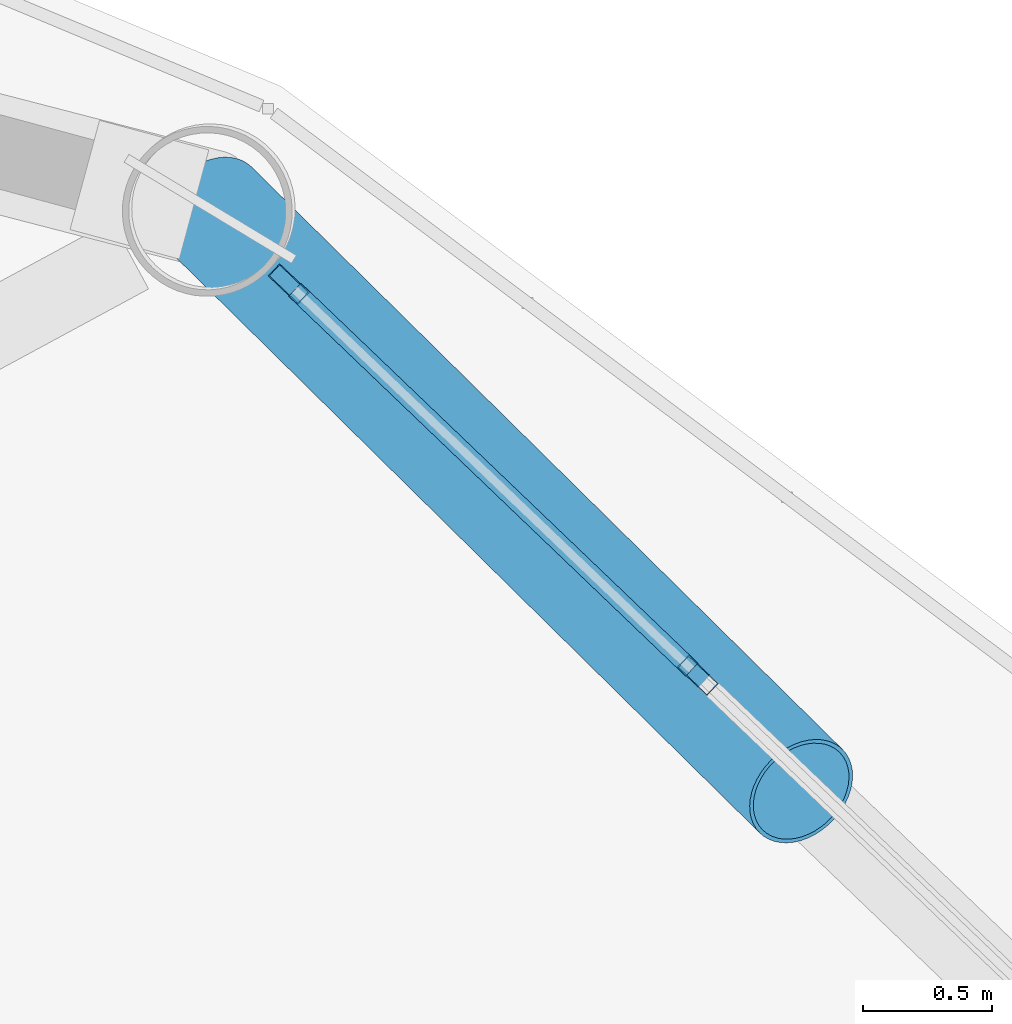
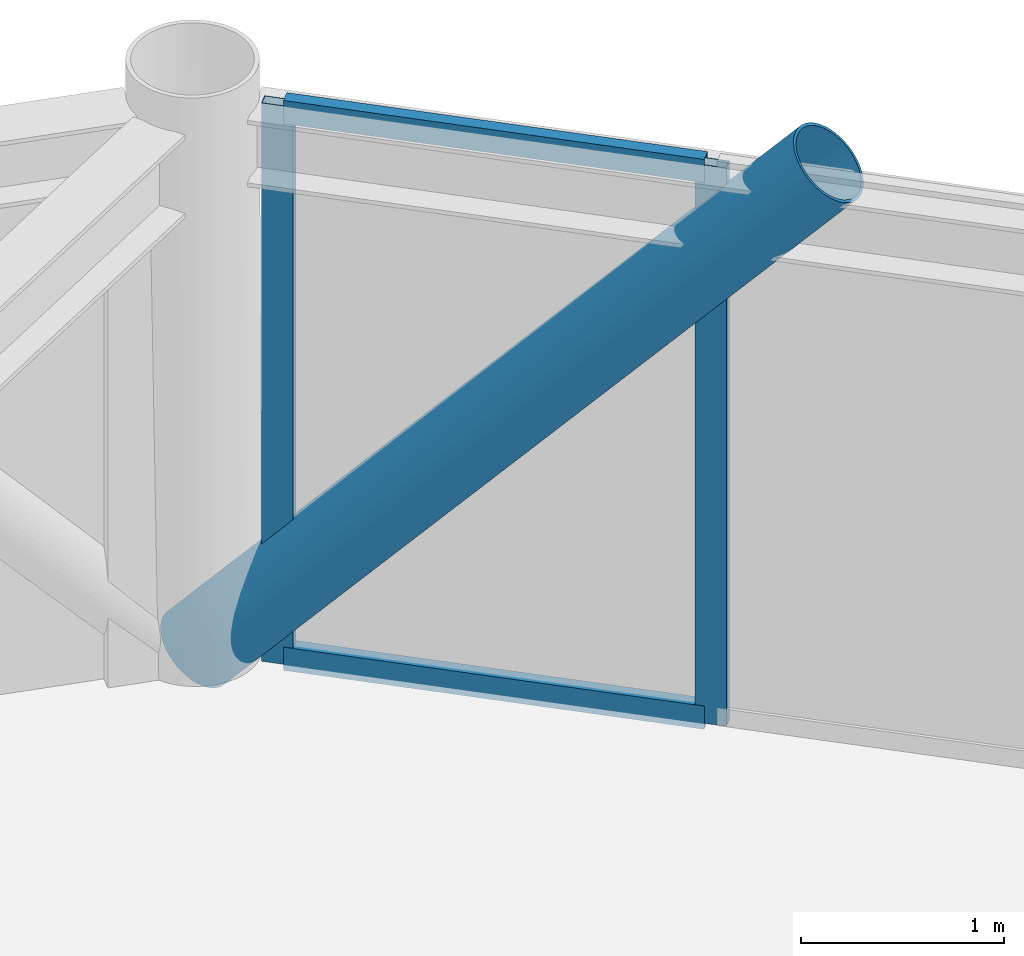
# One storey, part 21 of 28: 5 members, 1 element without a shape of its own.
"""IFC4 building model written with IfcOpenShell, lengths in metres."""

import ifcopenshell
import ifcopenshell.guid

model = None  # the IFC model being written
_history = None  # IfcOwnerHistory: only IFC2X3 demands one
_inside = {}  # id of a spatial element -> (the spatial element, [elements in it])
_under = {}  # id of a project, library or spatial element -> (it, [spatial elements below it])
_declared = {}  # id of a project -> (the project, [libraries it declares])
_typed = {}  # id of a type object -> (the type object, [elements of that type])
_made_of = {}  # id of a material, layer set ... -> (it, [elements and type objects made of it])


def new_model(schema):
    """Start an empty IFC model of exactly this schema.

    Asked for "IFC4X3", IfcOpenShell would pick the latest addendum, in which some entities
    have other attributes; the version numbers below select the first issue.
    IFC2X3 requires an IfcOwnerHistory on every rooted entity: one is made here for all.
    """
    global model, _history
    if schema == "IFC4X3":
        model = ifcopenshell.file(schema_version=(4, 3, 0, 0))
    else:
        model = ifcopenshell.file(schema=schema)
    _inside.clear()
    _under.clear()
    _declared.clear()
    _typed.clear()
    _made_of.clear()
    _history = None
    if model.schema == "IFC2X3":
        org = make("IfcOrganization", Name="unknown")
        user = make(
            "IfcPersonAndOrganization",
            ThePerson=make("IfcPerson", FamilyName="unknown"),
            TheOrganization=org,
        )
        app = make(
            "IfcApplication",
            ApplicationDeveloper=org,
            Version="unknown",
            ApplicationFullName="unknown",
            ApplicationIdentifier="unknown",
        )
        _history = make(
            "IfcOwnerHistory",
            OwningUser=user,
            OwningApplication=app,
            ChangeAction="ADDED",
            CreationDate=0,
        )
    return model


def make(cls, **values):
    """One entity of the class cls with the attributes given. An attribute that is None is left unset."""
    return model.create_entity(
        cls, **{name: value for name, value in values.items() if value is not None}
    )


def rooted(cls, **values):
    """An entity with a GlobalId (a new one), such as an element, a storey or a relation."""
    return make(cls, GlobalId=ifcopenshell.guid.new(), OwnerHistory=_history, **values)


def si_unit(unit_type, name, prefix=None):
    """IfcSIUnit, for example si_unit("LENGTHUNIT", "METRE", prefix="MILLI")."""
    return make("IfcSIUnit", UnitType=unit_type, Prefix=prefix, Name=name)


def assignment(units):
    """IfcUnitAssignment: the units of a project."""
    return None if units is None else make("IfcUnitAssignment", Units=units)


def point(xyz):
    """IfcCartesianPoint."""
    return None if xyz is None else make("IfcCartesianPoint", Coordinates=xyz)


def direction(xyz):
    """IfcDirection."""
    return None if xyz is None else make("IfcDirection", DirectionRatios=xyz)


def frame(location, z_axis=None, x_axis=None):
    """IfcAxis2Placement3D, a coordinate frame: its origin and axes. An axis left out is left unset."""
    return make(
        "IfcAxis2Placement3D",
        Location=point(location),
        Axis=direction(z_axis),
        RefDirection=direction(x_axis),
    )


def frame_2d(location, x_axis=None):
    """IfcAxis2Placement2D, a coordinate frame in the plane: its origin and x axis."""
    return make(
        "IfcAxis2Placement2D", Location=point(location), RefDirection=direction(x_axis)
    )


def origin():
    """The frame at (0, 0, 0) with its axes left unset."""
    return frame((0.0, 0.0, 0.0))


def origin_2d():
    """The frame at (0, 0) in the plane with its x axis left unset."""
    return frame_2d((0.0, 0.0))


def place(relative_to, where):
    """IfcLocalPlacement: puts the frame where relative to a parent placement (None: the world)."""
    return make(
        "IfcLocalPlacement", PlacementRelTo=relative_to, RelativePlacement=where
    )


def context(
    kind, dimensions, precision=None, world=None, true_north=None, identifier=None
):
    """IfcGeometricRepresentationContext, for example the 3D "Model" context."""
    return make(
        "IfcGeometricRepresentationContext",
        ContextIdentifier=identifier,
        ContextType=kind,
        CoordinateSpaceDimension=dimensions,
        Precision=precision,
        WorldCoordinateSystem=world,
        TrueNorth=true_north,
    )


def subcontext(parent, identifier, kind, view, scale=None):
    """IfcGeometricRepresentationSubContext, for example "Body" below "Model"."""
    return make(
        "IfcGeometricRepresentationSubContext",
        ContextIdentifier=identifier,
        ContextType=kind,
        ParentContext=parent,
        TargetScale=scale,
        TargetView=view,
    )


def project(units=None, contexts=None):
    """IfcProject with its units and contexts."""
    return rooted(
        "IfcProject",
        Name="project",
        RepresentationContexts=contexts,
        UnitsInContext=assignment(units),
    )


def spatial(cls, under=None, at=None, **own):
    """A site, building, storey or space (cls), placed at a placement, below another one or the project."""
    s = rooted(cls, ObjectPlacement=at, **own)
    if under is not None:
        _under.setdefault(under.id(), (under, []))[1].append(s)
    return s


def profile(cls, at=None, kind="AREA", **sizes):
    """A parametric profile (cls). Its sizes go by their IFC names, for example OverallWidth=200.0."""
    return make(cls, ProfileType=kind, Position=at, **sizes)


def hollow_rectangle(**sizes):
    """IfcRectangleHollowProfileDef."""
    return profile("IfcRectangleHollowProfileDef", **sizes)


def hollow_circle(**sizes):
    """IfcCircleHollowProfileDef."""
    return profile("IfcCircleHollowProfileDef", **sizes)


def extrude(swept, where, along, depth):
    """IfcExtrudedAreaSolid: the profile swept, set in the frame where, extruded along a direction by depth."""
    return make(
        "IfcExtrudedAreaSolid",
        SweptArea=swept,
        Position=where,
        ExtrudedDirection=direction(along),
        Depth=depth,
    )


def shape(context_of_items, identifier, shape_type, items):
    """IfcShapeRepresentation: the items that make up one representation, for example the "Body"."""
    return make(
        "IfcShapeRepresentation",
        ContextOfItems=context_of_items,
        RepresentationIdentifier=identifier,
        RepresentationType=shape_type,
        Items=items,
    )


def material(Name=None, Category=None):
    """IfcMaterial."""
    return make("IfcMaterial", Name=Name, Category=Category)


def layer(
    of_material, thickness, ventilated=None, Name=None, Category=None, Priority=None
):
    """IfcMaterialLayer: one layer of a wall or slab, of a material (None: an air gap)."""
    return make(
        "IfcMaterialLayer",
        Material=of_material,
        LayerThickness=thickness,
        IsVentilated=ventilated,
        Name=Name,
        Category=Category,
        Priority=Priority,
    )


def layer_set(layers, Name=None):
    """IfcMaterialLayerSet."""
    return make("IfcMaterialLayerSet", MaterialLayers=layers, LayerSetName=Name)


def material_profile(
    of_material, cross_section, Name=None, Category=None, Priority=None
):
    """IfcMaterialProfile: a cross section and its material."""
    return make(
        "IfcMaterialProfile",
        Name=Name,
        Material=of_material,
        Profile=cross_section,
        Priority=Priority,
        Category=Category,
    )


def profile_set(profiles, Name=None, composite=None):
    """IfcMaterialProfileSet."""
    return make(
        "IfcMaterialProfileSet",
        Name=Name,
        MaterialProfiles=profiles,
        CompositeProfile=composite,
    )


def made_of(thing, what):
    """Note that an element or type object is made of a material, layer set ...; save() writes the relation."""
    if what is not None:
        _made_of.setdefault(what.id(), (what, []))[1].append(thing)
    return thing


def type_object(cls, material=None, **own):
    """A type object (cls), such as IfcWallType, which elements share."""
    return made_of(rooted(cls, **own), material)


def element(
    cls,
    number,
    at=None,
    inside=None,
    cuts=None,
    type_object=None,
    material=None,
    context=None,
    identifier="Body",
    shape_type=None,
    held_by="IfcProductDefinitionShape",
    body=None,
    shapes=None,
    **own,
):
    """One element of the class cls, such as IfcWall. Its Tag is "e" and its number.

    at: its placement. inside: the storey or other place that contains it. cuts: it is an
    opening in that element (IfcRelVoidsElement). A single representation is given by context,
    identifier, shape_type and body (its items); several are given by shapes. held_by: the class
    of the entity that holds the representations. save() writes the other relations.
    """
    e = rooted(cls, Tag="e%d" % number, ObjectPlacement=at, **own)
    if body is not None:
        shapes = [shape(context, identifier, shape_type, body)]
    if shapes is not None:
        e.Representation = make(held_by, Representations=shapes)
    if inside is not None:
        _inside.setdefault(inside.id(), (inside, []))[1].append(e)
    if cuts is not None:
        rooted(
            "IfcRelVoidsElement", RelatingBuildingElement=cuts, RelatedOpeningElement=e
        )
    if type_object is not None:
        _typed.setdefault(type_object.id(), (type_object, []))[1].append(e)
    return made_of(e, material)


def aggregate(whole, parts):
    """IfcRelAggregates: a whole, such as a stair, and the parts it consists of."""
    return rooted("IfcRelAggregates", RelatingObject=whole, RelatedObjects=parts)


def save(model, path):
    """Write the relations noted so far, then the file.

    IfcRelAggregates (storeys below a building ...), IfcRelContainedInSpatialStructure (elements
    in a storey), IfcRelDefinesByType, IfcRelAssociatesMaterial and IfcRelDeclares: one each for
    every whole, place, type object, material and project.
    """
    for whole, parts in _under.values():
        aggregate(whole, parts)
    for where, things in _inside.values():
        rooted(
            "IfcRelContainedInSpatialStructure",
            RelatedElements=things,
            RelatingStructure=where,
        )
    for kind, things in _typed.values():
        rooted("IfcRelDefinesByType", RelatedObjects=things, RelatingType=kind)
    for what, things in _made_of.values():
        rooted("IfcRelAssociatesMaterial", RelatedObjects=things, RelatingMaterial=what)
    for by, libraries in _declared.values():
        rooted("IfcRelDeclares", RelatingContext=by, RelatedDefinitions=libraries)
    model.write(path)


model = new_model("IFC4")

# Units and contexts
model_context = context("Model", 3, precision=1e-05, world=origin(), true_north=direction((0.0, 1.0)))
body_context = subcontext(model_context, "Body", "Model", "MODEL_VIEW")
ifc_project = project(units=[si_unit("LENGTHUNIT", "METRE"), si_unit("AREAUNIT", "SQUARE_METRE"), si_unit("VOLUMEUNIT", "CUBIC_METRE"), si_unit("PLANEANGLEUNIT", "RADIAN"), si_unit("MASSUNIT", "GRAM", prefix="KILO")], contexts=[model_context])

# Site, building, storey
site_placement = place(None, origin())
site = spatial("IfcSite", under=ifc_project, at=site_placement, CompositionType="ELEMENT")
building_placement = place(site_placement, origin())
building = spatial("IfcBuilding", under=site, at=building_placement, Name="Varnakorn Sky Granary", CompositionType="ELEMENT")
storey_placement = place(building_placement, frame((0.0, 0.0, 204.0)))
storey = spatial("IfcBuildingStorey", under=building, at=storey_placement, Name="L51", CompositionType="ELEMENT", Elevation=204.0)

# Curtain wall, members
ifc_material_1 = material(Name="Anodised Bronze Aluminium Alloy 6063-T6", Category="aluminium")
ifc_layer = layer(ifc_material_1, 0.169921875, Name="Anodised Bronze Aluminium Alloy 6063-T6")
ifc_layer_set = layer_set([ifc_layer], Name="Anodised Bronze Aluminium Alloy 6063-T6")
curtain_wall_type = type_object("IfcCurtainWallType", Name="CW-LAB-1", PredefinedType="USERDEFINED", material=ifc_layer_set)
curtain_wall_placement = place(storey_placement, origin())
curtain_wall = element("IfcCurtainWall", 1, at=curtain_wall_placement, inside=storey, type_object=curtain_wall_type, Name="Unitised Curtain Wall CW5 CW-L51-B02", ObjectType="CURTAIN WALL", PredefinedType="USERDEFINED")
ifc_material_profile_1 = material_profile(ifc_material_1, hollow_rectangle(XDim=0.06494140625, YDim=0.159912109375, WallThickness=0.00341796875, at=origin_2d()), Name="ALU MULL 65x160")
ifc_profile_set_1 = profile_set([ifc_material_profile_1], Name="Anodised Bronze Aluminium Alloy 6063-T6")
member_type_1 = type_object("IfcMemberType", Name="CW-LAB-1-MULL", PredefinedType="MULLION", material=ifc_profile_set_1)
member_1_placement = place(storey_placement, frame((14.74169921875, 15.59423828125, 0.0), z_axis=(0.0, 0.0, 1.0), x_axis=(0.691317195735, 0.722551406393, 0.0)))
member_1 = element("IfcMember", 2, at=member_1_placement, type_object=member_type_1, Name="CW5 mullion 1", PredefinedType="MULLION", context=body_context, shape_type="SweptSolid", body=[
    extrude(hollow_rectangle(XDim=0.06494140625, YDim=0.159912109375, WallThickness=0.00341796875, at=origin_2d()), origin(), (0.0, 0.0, 1.0), 3.360107421875),
])
member_2_placement = place(storey_placement, frame((16.331787109375, 14.072998046875, 0.0), z_axis=(0.0, 0.0, 1.0), x_axis=(0.691317195735, 0.722551406393, 0.0)))
member_2 = element("IfcMember", 3, at=member_2_placement, type_object=member_type_1, Name="CW5 mullion 2", PredefinedType="MULLION", context=body_context, shape_type="SweptSolid", body=[
    extrude(hollow_rectangle(XDim=0.06494140625, YDim=0.159912109375, WallThickness=0.00341796875, at=origin_2d()), origin(), (0.0, 0.0, 1.0), 3.360107421875),
])
ifc_material_profile_2 = material_profile(ifc_material_1, hollow_rectangle(XDim=0.070068359375, YDim=0.139892578125, WallThickness=0.00341796875, at=origin_2d()), Name="ALU TRAN 70x140")
ifc_profile_set_2 = profile_set([ifc_material_profile_2], Name="Anodised Bronze Aluminium Alloy 6063-T6")
member_type_2 = type_object("IfcMemberType", Name="CW-LAB-1-TRAN", PredefinedType="USERDEFINED", material=ifc_profile_set_2)
member_3_placement = place(storey_placement, frame((14.765380859375, 15.57177734375, 0.034912109375), z_axis=(0.72254005068, -0.691329064313, 0.0), x_axis=(0.691329064313, 0.72254005068, 0.0)))
member_3 = element("IfcMember", 4, at=member_3_placement, type_object=member_type_2, Name="CW5 transom 1.1", ObjectType="TRANSOM", PredefinedType="USERDEFINED", context=body_context, shape_type="SweptSolid", body=[
    extrude(hollow_rectangle(XDim=0.070068359375, YDim=0.139892578125, WallThickness=0.00341796875, at=origin_2d()), origin(), (0.0, 0.0, 1.0), 2.135498046875),
])
member_4_placement = place(storey_placement, frame((14.765380859375, 15.57177734375, 3.324951171875), z_axis=(0.72254005068, -0.691329064313, 0.0), x_axis=(0.691329064313, 0.72254005068, 0.0)))
member_4 = element("IfcMember", 5, at=member_4_placement, type_object=member_type_2, Name="CW5 transom 1.2", ObjectType="TRANSOM", PredefinedType="USERDEFINED", context=body_context, shape_type="SweptSolid", body=[
    extrude(hollow_rectangle(XDim=0.070068359375, YDim=0.139892578125, WallThickness=0.00341796875, at=origin_2d()), origin(), (0.0, 0.0, 1.0), 2.135498046875),
])
aggregate(curtain_wall, [member_1, member_2, member_3, member_4])

# Member
ifc_material_2 = material(Name="Steel S460M", Category="steel")
ifc_material_profile_3 = material_profile(ifc_material_2, hollow_circle(Radius=0.228515625, WallThickness=0.01611328125, at=origin_2d()), Name="CHS 457x16")
ifc_profile_set_3 = profile_set([ifc_material_profile_3], Name="Steel S460M")
member_type_3 = type_object("IfcMemberType", Name="MB-DIAG-T3", PredefinedType="BRACE", material=ifc_profile_set_3)
member_5_placement = place(storey_placement, frame((14.4365234375, 15.886474609375, 0.0), z_axis=(0.483366530218, -0.47637908888, 0.734452014187), x_axis=(0.701940077194, 0.71223600585, 0.0)))
element("IfcMember", 6, at=member_5_placement, inside=storey, type_object=member_type_3, Name="Perimeter CHS Diagrid Brace DG02 L51", PredefinedType="BRACE", context=body_context, shape_type="SweptSolid", body=[
    extrude(hollow_circle(Radius=0.228515625, WallThickness=0.01611328125, at=origin_2d()), origin(), (0.0, 0.0, 1.0), 4.751708984375),
])

save(model, "model.ifc")
